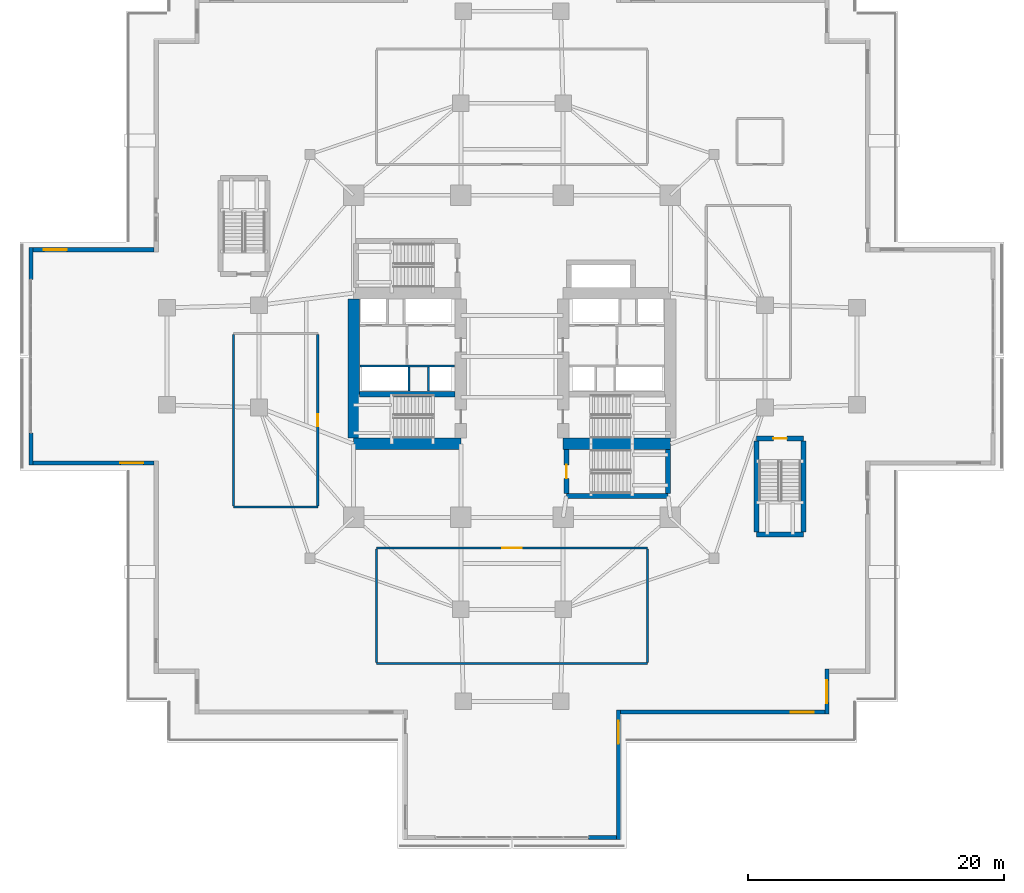
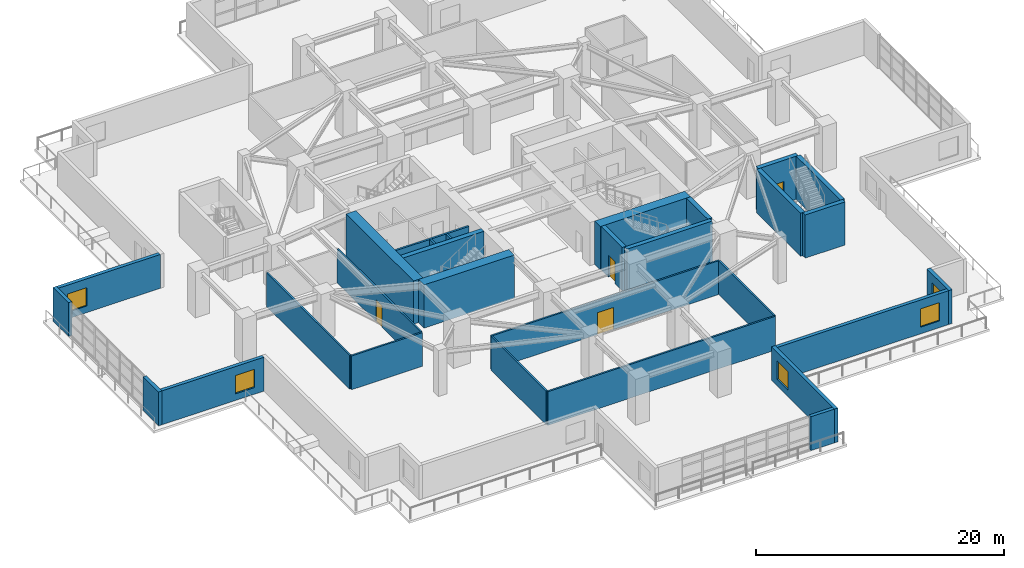
# One storey, part 13 of 23: 29 walls, 5 windows, 4 doors, 9 openings.
"""IFC4 building model written with IfcOpenShell, lengths in metres."""

import ifcopenshell
import ifcopenshell.guid

model = None  # the IFC model being written
_history = None  # IfcOwnerHistory: only IFC2X3 demands one
_inside = {}  # id of a spatial element -> (the spatial element, [elements in it])
_under = {}  # id of a project, library or spatial element -> (it, [spatial elements below it])
_declared = {}  # id of a project -> (the project, [libraries it declares])
_typed = {}  # id of a type object -> (the type object, [elements of that type])
_made_of = {}  # id of a material, layer set ... -> (it, [elements and type objects made of it])


def new_model(schema):
    """Start an empty IFC model of exactly this schema.

    Asked for "IFC4X3", IfcOpenShell would pick the latest addendum, in which some entities
    have other attributes; the version numbers below select the first issue.
    IFC2X3 requires an IfcOwnerHistory on every rooted entity: one is made here for all.
    """
    global model, _history
    if schema == "IFC4X3":
        model = ifcopenshell.file(schema_version=(4, 3, 0, 0))
    else:
        model = ifcopenshell.file(schema=schema)
    _inside.clear()
    _under.clear()
    _declared.clear()
    _typed.clear()
    _made_of.clear()
    _history = None
    if model.schema == "IFC2X3":
        org = make("IfcOrganization", Name="unknown")
        user = make(
            "IfcPersonAndOrganization",
            ThePerson=make("IfcPerson", FamilyName="unknown"),
            TheOrganization=org,
        )
        app = make(
            "IfcApplication",
            ApplicationDeveloper=org,
            Version="unknown",
            ApplicationFullName="unknown",
            ApplicationIdentifier="unknown",
        )
        _history = make(
            "IfcOwnerHistory",
            OwningUser=user,
            OwningApplication=app,
            ChangeAction="ADDED",
            CreationDate=0,
        )
    return model


def make(cls, **values):
    """One entity of the class cls with the attributes given. An attribute that is None is left unset."""
    return model.create_entity(
        cls, **{name: value for name, value in values.items() if value is not None}
    )


def rooted(cls, **values):
    """An entity with a GlobalId (a new one), such as an element, a storey or a relation."""
    return make(cls, GlobalId=ifcopenshell.guid.new(), OwnerHistory=_history, **values)


def si_unit(unit_type, name, prefix=None):
    """IfcSIUnit, for example si_unit("LENGTHUNIT", "METRE", prefix="MILLI")."""
    return make("IfcSIUnit", UnitType=unit_type, Prefix=prefix, Name=name)


def assignment(units):
    """IfcUnitAssignment: the units of a project."""
    return None if units is None else make("IfcUnitAssignment", Units=units)


def point(xyz):
    """IfcCartesianPoint."""
    return None if xyz is None else make("IfcCartesianPoint", Coordinates=xyz)


def direction(xyz):
    """IfcDirection."""
    return None if xyz is None else make("IfcDirection", DirectionRatios=xyz)


def frame(location, z_axis=None, x_axis=None):
    """IfcAxis2Placement3D, a coordinate frame: its origin and axes. An axis left out is left unset."""
    return make(
        "IfcAxis2Placement3D",
        Location=point(location),
        Axis=direction(z_axis),
        RefDirection=direction(x_axis),
    )


def frame_2d(location, x_axis=None):
    """IfcAxis2Placement2D, a coordinate frame in the plane: its origin and x axis."""
    return make(
        "IfcAxis2Placement2D", Location=point(location), RefDirection=direction(x_axis)
    )


def origin():
    """The frame at (0, 0, 0) with its axes left unset."""
    return frame((0.0, 0.0, 0.0))


def place(relative_to, where):
    """IfcLocalPlacement: puts the frame where relative to a parent placement (None: the world)."""
    return make(
        "IfcLocalPlacement", PlacementRelTo=relative_to, RelativePlacement=where
    )


def context(
    kind, dimensions, precision=None, world=None, true_north=None, identifier=None
):
    """IfcGeometricRepresentationContext, for example the 3D "Model" context."""
    return make(
        "IfcGeometricRepresentationContext",
        ContextIdentifier=identifier,
        ContextType=kind,
        CoordinateSpaceDimension=dimensions,
        Precision=precision,
        WorldCoordinateSystem=world,
        TrueNorth=true_north,
    )


def subcontext(parent, identifier, kind, view, scale=None):
    """IfcGeometricRepresentationSubContext, for example "Body" below "Model"."""
    return make(
        "IfcGeometricRepresentationSubContext",
        ContextIdentifier=identifier,
        ContextType=kind,
        ParentContext=parent,
        TargetScale=scale,
        TargetView=view,
    )


def project(units=None, contexts=None):
    """IfcProject with its units and contexts."""
    return rooted(
        "IfcProject",
        Name="project",
        RepresentationContexts=contexts,
        UnitsInContext=assignment(units),
    )


def spatial(cls, under=None, at=None, **own):
    """A site, building, storey or space (cls), placed at a placement, below another one or the project."""
    s = rooted(cls, ObjectPlacement=at, **own)
    if under is not None:
        _under.setdefault(under.id(), (under, []))[1].append(s)
    return s


def profile(cls, at=None, kind="AREA", **sizes):
    """A parametric profile (cls). Its sizes go by their IFC names, for example OverallWidth=200.0."""
    return make(cls, ProfileType=kind, Position=at, **sizes)


def rectangle(**sizes):
    """IfcRectangleProfileDef."""
    return profile("IfcRectangleProfileDef", **sizes)


def extrude(swept, where, along, depth):
    """IfcExtrudedAreaSolid: the profile swept, set in the frame where, extruded along a direction by depth."""
    return make(
        "IfcExtrudedAreaSolid",
        SweptArea=swept,
        Position=where,
        ExtrudedDirection=direction(along),
        Depth=depth,
    )


def shape(context_of_items, identifier, shape_type, items):
    """IfcShapeRepresentation: the items that make up one representation, for example the "Body"."""
    return make(
        "IfcShapeRepresentation",
        ContextOfItems=context_of_items,
        RepresentationIdentifier=identifier,
        RepresentationType=shape_type,
        Items=items,
    )


def material(Name=None, Category=None):
    """IfcMaterial."""
    return make("IfcMaterial", Name=Name, Category=Category)


def layer(
    of_material, thickness, ventilated=None, Name=None, Category=None, Priority=None
):
    """IfcMaterialLayer: one layer of a wall or slab, of a material (None: an air gap)."""
    return make(
        "IfcMaterialLayer",
        Material=of_material,
        LayerThickness=thickness,
        IsVentilated=ventilated,
        Name=Name,
        Category=Category,
        Priority=Priority,
    )


def layer_set(layers, Name=None):
    """IfcMaterialLayerSet."""
    return make("IfcMaterialLayerSet", MaterialLayers=layers, LayerSetName=Name)


def made_of(thing, what):
    """Note that an element or type object is made of a material, layer set ...; save() writes the relation."""
    if what is not None:
        _made_of.setdefault(what.id(), (what, []))[1].append(thing)
    return thing


def type_object(cls, material=None, **own):
    """A type object (cls), such as IfcWallType, which elements share."""
    return made_of(rooted(cls, **own), material)


def element(
    cls,
    number,
    at=None,
    inside=None,
    cuts=None,
    type_object=None,
    material=None,
    context=None,
    identifier="Body",
    shape_type=None,
    held_by="IfcProductDefinitionShape",
    body=None,
    shapes=None,
    **own,
):
    """One element of the class cls, such as IfcWall. Its Tag is "e" and its number.

    at: its placement. inside: the storey or other place that contains it. cuts: it is an
    opening in that element (IfcRelVoidsElement). A single representation is given by context,
    identifier, shape_type and body (its items); several are given by shapes. held_by: the class
    of the entity that holds the representations. save() writes the other relations.
    """
    e = rooted(cls, Tag="e%d" % number, ObjectPlacement=at, **own)
    if body is not None:
        shapes = [shape(context, identifier, shape_type, body)]
    if shapes is not None:
        e.Representation = make(held_by, Representations=shapes)
    if inside is not None:
        _inside.setdefault(inside.id(), (inside, []))[1].append(e)
    if cuts is not None:
        rooted(
            "IfcRelVoidsElement", RelatingBuildingElement=cuts, RelatedOpeningElement=e
        )
    if type_object is not None:
        _typed.setdefault(type_object.id(), (type_object, []))[1].append(e)
    return made_of(e, material)


def fill(opening, filler):
    """IfcRelFillsElement: the door or window that sits in an opening."""
    return rooted(
        "IfcRelFillsElement",
        RelatingOpeningElement=opening,
        RelatedBuildingElement=filler,
    )


def aggregate(whole, parts):
    """IfcRelAggregates: a whole, such as a stair, and the parts it consists of."""
    return rooted("IfcRelAggregates", RelatingObject=whole, RelatedObjects=parts)


def save(model, path):
    """Write the relations noted so far, then the file.

    IfcRelAggregates (storeys below a building ...), IfcRelContainedInSpatialStructure (elements
    in a storey), IfcRelDefinesByType, IfcRelAssociatesMaterial and IfcRelDeclares: one each for
    every whole, place, type object, material and project.
    """
    for whole, parts in _under.values():
        aggregate(whole, parts)
    for where, things in _inside.values():
        rooted(
            "IfcRelContainedInSpatialStructure",
            RelatedElements=things,
            RelatingStructure=where,
        )
    for kind, things in _typed.values():
        rooted("IfcRelDefinesByType", RelatedObjects=things, RelatingType=kind)
    for what, things in _made_of.values():
        rooted("IfcRelAssociatesMaterial", RelatedObjects=things, RelatingMaterial=what)
    for by, libraries in _declared.values():
        rooted("IfcRelDeclares", RelatingContext=by, RelatedDefinitions=libraries)
    model.write(path)


model = new_model("IFC4")

# Units and contexts
model_context = context("Model", 3, precision=1e-05, world=origin(), true_north=direction((0.0, 1.0)))
body_context = subcontext(model_context, "Body", "Model", "MODEL_VIEW")
ifc_project = project(units=[si_unit("LENGTHUNIT", "METRE"), si_unit("AREAUNIT", "SQUARE_METRE"), si_unit("VOLUMEUNIT", "CUBIC_METRE"), si_unit("PLANEANGLEUNIT", "RADIAN"), si_unit("MASSUNIT", "GRAM", prefix="KILO")], contexts=[model_context])

# Site, building, storey
site_placement = place(None, origin())
site = spatial("IfcSite", under=ifc_project, at=site_placement, CompositionType="ELEMENT")
building_placement = place(site_placement, origin())
building = spatial("IfcBuilding", under=site, at=building_placement, Name="Qingluan Cross Belvedere", CompositionType="ELEMENT")
storey_placement = place(building_placement, frame((0.0, 0.0, 10.199951171875)))
storey = spatial("IfcBuildingStorey", under=building, at=storey_placement, Name="L03", CompositionType="ELEMENT", Elevation=10.199951171875)

# Walls
ifc_material_1 = material(Name="Concrete C50", Category="concrete")
ifc_layer_1 = layer(ifc_material_1, 0.449951171875, Name="CoreShearWall_450")
ifc_layer_set_1 = layer_set([ifc_layer_1], Name="Concrete C50")
wall_type_1 = type_object("IfcWallType", Name="CoreShearWall_450", PredefinedType="SHEAR", material=ifc_layer_set_1)
wall_1_placement = place(storey_placement, frame((-11.945068359375, -2.9599609375, 0.0), z_axis=(0.0, 0.0, 1.0), x_axis=(1.0, 0.0, 0.0)))
element("IfcWall", 1, at=wall_1_placement, inside=storey, type_object=wall_type_1, Name="Split core W shear wall L03-M", PredefinedType="SHEAR", context=body_context, shape_type="SweptSolid", body=[
    extrude(rectangle(XDim=7.489990234375, YDim=0.449951171875, at=frame_2d((3.7451171875, 0.0))), origin(), (0.0, 0.0, 1.0), 4.25),
])
wall_2_placement = place(storey_placement, frame((4.260009765625, -10.93994140625, 0.0), z_axis=(0.0, 0.0, 1.0), x_axis=(1.0, 0.0, 0.0)))
element("IfcWall", 2, at=wall_2_placement, inside=storey, type_object=wall_type_1, Name="Stair ST4 structural wall S L03", PredefinedType="SHEAR", context=body_context, shape_type="SweptSolid", body=[
    extrude(rectangle(XDim=7.9599609375, YDim=0.39990234375, at=frame_2d((3.97998046875, 0.0))), origin(), (0.0, 0.0, 1.0), 4.25),
])

# Wall, opening, door
wall_3_placement = place(storey_placement, frame((4.260009765625, -10.735107421875, 0.0), z_axis=(0.0, 0.0, 1.0), x_axis=(0.0, 1.0, 0.0)))
wall_3 = element("IfcWall", 3, at=wall_3_placement, inside=storey, type_object=wall_type_1, Name="Stair ST4 structural wall W L03", PredefinedType="SHEAR", context=body_context, shape_type="SweptSolid", body=[
    extrude(rectangle(XDim=3.43017578125, YDim=0.39990234375, at=frame_2d((1.715087890625, 0.0))), origin(), (0.0, 0.0, 1.0), 4.25),
])
opening_1_placement = place(wall_3_placement, frame((1.18505859375, 0.0, 0.0)))
opening_1 = element("IfcOpeningElement", 4, at=opening_1_placement, cuts=wall_3, Name="Opening FD-B11", PredefinedType="OPENING", context=body_context, shape_type="SweptSolid", body=[
    extrude(rectangle(XDim=1.050048828125, YDim=2.14990234375, at=frame_2d((0.52490234375, 1.074951171875))), frame((0.0, 0.2099609375, 0.0), z_axis=(0.0, -1.0, 0.0), x_axis=(1.0, 0.0, 0.0)), (0.0, 0.0, 1.0), 0.419921875),
])
ifc_material_2 = material(Name="Steel Class B smoke-seal fire door", Category="steel")
door_type_1 = type_object("IfcDoorType", Name="StairLobbyFireDoor_FDB", OperationType="NOTDEFINED", PredefinedType="DOOR", material=ifc_material_2)
door_1_placement = place(opening_1_placement, origin())
door_1 = element("IfcDoor", 5, at=door_1_placement, inside=storey, type_object=door_type_1, Name="Smoke-proof stair ST4 fire door L03", OperationType="SINGLE_SWING_LEFT", OverallHeight=2.14990234375, OverallWidth=1.050048828125, PredefinedType="DOOR", context=body_context, shape_type="SweptSolid", body=[
    extrude(rectangle(XDim=1.050048828125, YDim=2.14990234375, at=frame_2d((0.52490234375, 1.074951171875))), frame((0.0, 0.02490234375, 0.0), z_axis=(0.0, -1.0, 0.0), x_axis=(1.0, 0.0, 0.0)), (0.0, 0.0, 1.0), 0.050048828125),
])
fill(opening_1, door_1)

# Wall
wall_4_placement = place(storey_placement, frame((12.219970703125, -10.735107421875, 0.0), z_axis=(0.0, 0.0, 1.0), x_axis=(0.0, 1.0, 0.0)))
element("IfcWall", 6, at=wall_4_placement, inside=storey, type_object=wall_type_1, Name="Stair ST4 structural wall E L03", PredefinedType="SHEAR", context=body_context, shape_type="SweptSolid", body=[
    extrude(rectangle(XDim=3.43017578125, YDim=0.39990234375, at=frame_2d((1.715087890625, 0.0))), origin(), (0.0, 0.0, 1.0), 4.25),
])

# Wall, opening, door
wall_5_placement = place(storey_placement, frame((19.1201171875, -6.429931640625, 0.0), z_axis=(0.0, 0.0, 1.0), x_axis=(1.0, 0.0, 0.0)))
wall_5 = element("IfcWall", 7, at=wall_5_placement, inside=storey, type_object=wall_type_1, Name="Stair ST6 structural wall N L03", PredefinedType="SHEAR", context=body_context, shape_type="SweptSolid", body=[
    extrude(rectangle(XDim=3.699951171875, YDim=0.39990234375, at=frame_2d((1.85009765625, 0.0))), origin(), (0.0, 0.0, 1.0), 4.25),
])
opening_2_placement = place(wall_5_placement, frame((1.330078125, 0.0, 0.0)))
opening_2 = element("IfcOpeningElement", 8, at=opening_2_placement, cuts=wall_5, Name="Opening FD-B11", PredefinedType="OPENING", context=body_context, shape_type="SweptSolid", body=[
    extrude(rectangle(XDim=1.050048828125, YDim=2.14990234375, at=frame_2d((0.52490234375, 1.074951171875))), frame((0.0, 0.2099609375, 0.0), z_axis=(0.0, -1.0, 0.0), x_axis=(1.0, 0.0, 0.0)), (0.0, 0.0, 1.0), 0.419921875),
])
door_2_placement = place(opening_2_placement, origin())
door_2 = element("IfcDoor", 9, at=door_2_placement, inside=storey, type_object=door_type_1, Name="Podium stair ST6 smoke-proof fire door L03", OperationType="SINGLE_SWING_LEFT", OverallHeight=2.14990234375, OverallWidth=1.050048828125, PredefinedType="DOOR", context=body_context, shape_type="SweptSolid", body=[
    extrude(rectangle(XDim=1.050048828125, YDim=2.14990234375, at=frame_2d((0.52490234375, 1.074951171875))), frame((0.0, 0.02490234375, 0.0), z_axis=(0.0, -1.0, 0.0), x_axis=(1.0, 0.0, 0.0)), (0.0, 0.0, 1.0), 0.050048828125),
])
fill(opening_2, door_2)

# Walls
wall_6_placement = place(storey_placement, frame((19.1201171875, -13.949951171875, 0.0), z_axis=(0.0, 0.0, 1.0), x_axis=(1.0, 0.0, 0.0)))
element("IfcWall", 10, at=wall_6_placement, inside=storey, type_object=wall_type_1, Name="Stair ST6 structural wall S L03", PredefinedType="SHEAR", context=body_context, shape_type="SweptSolid", body=[
    extrude(rectangle(XDim=3.699951171875, YDim=0.39990234375, at=frame_2d((1.85009765625, 0.0))), origin(), (0.0, 0.0, 1.0), 4.25),
])
for number, where, z_axis, x_axis, name in (
    (11, (19.1201171875, -13.7451171875, 0.0), (0.0, 0.0, 1.0), (0.0, 1.0, 0.0), "Stair ST6 structural wall W L03"),
    (12, (22.820068359375, -13.7451171875, 0.0), (0.0, 0.0, 1.0), (0.0, 1.0, 0.0), "Stair ST6 structural wall E L03"),
):
    element("IfcWall", number, at=place(storey_placement, frame(where, z_axis=z_axis, x_axis=x_axis)), inside=storey, type_object=wall_type_1, Name=name, PredefinedType="SHEAR", context=body_context, shape_type="SweptSolid", body=[
        extrude(rectangle(XDim=7.110107421875, YDim=0.39990234375, at=frame_2d((3.55517578125, 0.0))), origin(), (0.0, 0.0, 1.0), 4.25),
    ])
ifc_material_3 = material(Name="Concrete C70", Category="concrete")
ifc_layer_2 = layer(ifc_material_3, 0.89990234375, Name="CoreShearWall_900")
ifc_layer_set_2 = layer_set([ifc_layer_2], Name="Concrete C70")
wall_type_2 = type_object("IfcWallType", Name="CoreShearWall_900", PredefinedType="SHEAR", material=ifc_layer_set_2)
wall_7_placement = place(storey_placement, frame((-12.39990234375, -6.85009765625, 0.0), z_axis=(0.0, 0.0, 1.0), x_axis=(1.0, 0.0, 0.0)))
element("IfcWall", 13, at=wall_7_placement, inside=storey, type_object=wall_type_2, Name="Split core W shear wall L03-S", PredefinedType="SHEAR", context=body_context, shape_type="SweptSolid", body=[
    extrude(rectangle(XDim=8.39990234375, YDim=0.89990234375, at=frame_2d((4.199951171875, 0.0))), origin(), (0.0, 0.0, 1.0), 4.25),
])
wall_8_placement = place(storey_placement, frame((-12.39990234375, -6.39501953125, 0.0), z_axis=(0.0, 0.0, 1.0), x_axis=(0.0, 1.0, 0.0)))
element("IfcWall", 14, at=wall_8_placement, inside=storey, type_object=wall_type_2, Name="Split core W shear wall L03-W", PredefinedType="SHEAR", context=body_context, shape_type="SweptSolid", body=[
    extrude(rectangle(XDim=10.89013671875, YDim=0.89990234375, at=frame_2d((5.445068359375, 0.0))), origin(), (0.0, 0.0, 1.0), 4.25),
])
wall_9_placement = place(storey_placement, frame((4.0, -6.85009765625, 0.0), z_axis=(0.0, 0.0, 1.0), x_axis=(1.0, 0.0, 0.0)))
element("IfcWall", 15, at=wall_9_placement, inside=storey, type_object=wall_type_2, Name="Split core E shear wall L03-S", PredefinedType="SHEAR", context=body_context, shape_type="SweptSolid", body=[
    extrude(rectangle(XDim=8.39990234375, YDim=0.89990234375, at=frame_2d((4.199951171875, 0.0))), origin(), (0.0, 0.0, 1.0), 4.25),
])
ifc_material_4 = material(Name="Gypsum plasterboard on steel stud acoustic partition", Category="steel")
ifc_layer_3 = layer(ifc_material_4, 0.159912109375, Name="CorridorPartition_160")
ifc_layer_set_3 = layer_set([ifc_layer_3], Name="Gypsum plasterboard on steel stud acoustic partition")
wall_type_3 = type_object("IfcWallType", Name="CorridorPartition_160", PredefinedType="PARTITIONING", material=ifc_layer_set_3)
wall_10_placement = place(storey_placement, frame((-10.60009765625, -24.050048828125, 0.0), z_axis=(0.0, 0.0, 1.0), x_axis=(1.0, 0.0, 0.0)))
element("IfcWall", 16, at=wall_10_placement, inside=storey, type_object=wall_type_3, Name="Partition L03:pod_s:S", PredefinedType="PARTITIONING", context=body_context, shape_type="SweptSolid", body=[
    extrude(rectangle(XDim=21.2001953125, YDim=0.159912109375, at=frame_2d((10.60009765625, 0.0))), origin(), (0.0, 0.0, 1.0), 3.320068359375),
])

# Wall, opening, door
wall_11_placement = place(storey_placement, frame((-10.60009765625, -15.0, 0.0), z_axis=(0.0, 0.0, 1.0), x_axis=(1.0, 0.0, 0.0)))
wall_11 = element("IfcWall", 17, at=wall_11_placement, inside=storey, type_object=wall_type_3, Name="Partition L03:pod_s:N", PredefinedType="PARTITIONING", context=body_context, shape_type="SweptSolid", body=[
    extrude(rectangle(XDim=21.2001953125, YDim=0.159912109375, at=frame_2d((10.60009765625, 0.0))), origin(), (0.0, 0.0, 1.0), 3.320068359375),
])
opening_3_placement = place(wall_11_placement, frame((9.85009765625, 0.0, 0.0)))
opening_3 = element("IfcOpeningElement", 18, at=opening_3_placement, cuts=wall_11, Name="Opening FD-A15", PredefinedType="OPENING", context=body_context, shape_type="SweptSolid", body=[
    extrude(rectangle(XDim=1.5, YDim=2.14990234375, at=frame_2d((0.75, 1.074951171875))), frame((0.0, 0.08984375, 0.0), z_axis=(0.0, -1.0, 0.0), x_axis=(1.0, 0.0, 0.0)), (0.0, 0.0, 1.0), 0.179931640625),
])
ifc_material_5 = material(Name="Insulated steel Class A double fire door", Category="steel")
door_type_2 = type_object("IfcDoorType", Name="PlantDoubleFireDoor_FDA", OperationType="DOUBLE_DOOR_SINGLE_SWING", PredefinedType="DOOR", material=ifc_material_5)
door_3_placement = place(opening_3_placement, origin())
door_3 = element("IfcDoor", 19, at=door_3_placement, inside=storey, type_object=door_type_2, Name="Seminar conference foyer South L03 door", OperationType="DOUBLE_DOOR_SINGLE_SWING", OverallHeight=2.14990234375, OverallWidth=1.5, PredefinedType="DOOR", context=body_context, shape_type="SweptSolid", body=[
    extrude(rectangle(XDim=1.5, YDim=2.14990234375, at=frame_2d((0.75, 1.074951171875))), frame((0.0, 0.02490234375, 0.0), z_axis=(0.0, -1.0, 0.0), x_axis=(1.0, 0.0, 0.0)), (0.0, 0.0, 1.0), 0.050048828125),
])
fill(opening_3, door_3)

# Walls
for number, where, z_axis, x_axis, name in (
    (20, (-10.60009765625, -23.965087890625, 0.0), (0.0, 0.0, 1.0), (0.0, 1.0, 0.0), "Partition L03:pod_s:W"),
    (21, (10.60009765625, -23.965087890625, 0.0), (0.0, 0.0, 1.0), (0.0, 1.0, 0.0), "Partition L03:pod_s:E"),
):
    element("IfcWall", number, at=place(storey_placement, frame(where, z_axis=z_axis, x_axis=x_axis)), inside=storey, type_object=wall_type_3, Name=name, PredefinedType="PARTITIONING", context=body_context, shape_type="SweptSolid", body=[
        extrude(rectangle(XDim=8.880126953125, YDim=0.159912109375, at=frame_2d((4.43994140625, 0.0))), origin(), (0.0, 0.0, 1.0), 3.320068359375),
    ])
wall_12_placement = place(storey_placement, frame((-21.800048828125, -11.800048828125, 0.0), z_axis=(0.0, 0.0, 1.0), x_axis=(1.0, 0.0, 0.0)))
element("IfcWall", 22, at=wall_12_placement, inside=storey, type_object=wall_type_3, Name="Partition L03:pod_w:S", PredefinedType="PARTITIONING", context=body_context, shape_type="SweptSolid", body=[
    extrude(rectangle(XDim=6.60009765625, YDim=0.159912109375, at=frame_2d((3.300048828125, 0.0))), origin(), (0.0, 0.0, 1.0), 3.320068359375),
])
wall_13_placement = place(storey_placement, frame((-21.800048828125, -11.715087890625, 0.0), z_axis=(0.0, 0.0, 1.0), x_axis=(0.0, 1.0, 0.0)))
element("IfcWall", 23, at=wall_13_placement, inside=storey, type_object=wall_type_3, Name="Partition L03:pod_w:W", PredefinedType="PARTITIONING", context=body_context, shape_type="SweptSolid", body=[
    extrude(rectangle(XDim=13.43017578125, YDim=0.159912109375, at=frame_2d((6.715087890625, 0.0))), origin(), (0.0, 0.0, 1.0), 3.320068359375),
])

# Wall, opening, door
wall_14_placement = place(storey_placement, frame((-15.199951171875, -11.715087890625, 0.0), z_axis=(0.0, 0.0, 1.0), x_axis=(0.0, 1.0, 0.0)))
wall_14 = element("IfcWall", 24, at=wall_14_placement, inside=storey, type_object=wall_type_3, Name="Partition L03:pod_w:E", PredefinedType="PARTITIONING", context=body_context, shape_type="SweptSolid", body=[
    extrude(rectangle(XDim=13.43017578125, YDim=0.159912109375, at=frame_2d((6.715087890625, 0.0))), origin(), (0.0, 0.0, 1.0), 3.320068359375),
])
opening_4_placement = place(wall_14_placement, frame((6.235107421875, 0.0, 0.0)))
opening_4 = element("IfcOpeningElement", 25, at=opening_4_placement, cuts=wall_14, Name="Opening GD-10", PredefinedType="OPENING", context=body_context, shape_type="SweptSolid", body=[
    extrude(rectangle(XDim=0.9599609375, YDim=2.14990234375, at=frame_2d((0.47998046875, 1.074951171875))), frame((0.0, 0.08984375, 0.0), z_axis=(0.0, -1.0, 0.0), x_axis=(1.0, 0.0, 0.0)), (0.0, 0.0, 1.0), 0.179931640625),
])
ifc_material_6 = material(Name="Timber oak fire-rated acoustic guestroom door", Category="wood")
door_type_3 = type_object("IfcDoorType", Name="GuestEntryDoor_FD60", OperationType="NOTDEFINED", PredefinedType="DOOR", material=ifc_material_6)
door_4_placement = place(opening_4_placement, origin())
door_4 = element("IfcDoor", 26, at=door_4_placement, inside=storey, type_object=door_type_3, Name="Conference catering pantry West L03 door", OperationType="SINGLE_SWING_LEFT", OverallHeight=2.14990234375, OverallWidth=0.9599609375, PredefinedType="DOOR", context=body_context, shape_type="SweptSolid", body=[
    extrude(rectangle(XDim=0.9599609375, YDim=2.14990234375, at=frame_2d((0.47998046875, 1.074951171875))), frame((0.0, 0.02490234375, 0.0), z_axis=(0.0, -1.0, 0.0), x_axis=(1.0, 0.0, 0.0)), (0.0, 0.0, 1.0), 0.050048828125),
])
fill(opening_4, door_4)

# Wall, opening, window
ifc_material_7 = material(Name="Precast concrete C45", Category="concrete")
ifc_layer_4 = layer(ifc_material_7, 0.320068359375, Name="PrecastPodiumWall_320")
ifc_layer_set_4 = layer_set([ifc_layer_4], Name="Precast concrete C45")
wall_type_4 = type_object("IfcWallType", Name="PrecastPodiumWall_320", PredefinedType="STANDARD", material=ifc_layer_set_4)
wall_15_placement = place(storey_placement, frame((24.47998046875, -27.840087890625, 0.0), z_axis=(0.0, 0.0, 1.0), x_axis=(-1.0, 0.0, 0.0)))
wall_15 = element("IfcWall", 27, at=wall_15_placement, inside=storey, type_object=wall_type_4, Name="Podium precast facade wall L03-S1", PredefinedType="STANDARD", context=body_context, shape_type="SweptSolid", body=[
    extrude(rectangle(XDim=15.97998046875, YDim=0.320068359375, at=frame_2d((7.989990234375, 0.0))), origin(), (0.0, 0.0, 1.0), 3.330078125),
])
opening_5_placement = place(wall_15_placement, frame((0.85009765625, 0.0, 0.64990234375)))
opening_5 = element("IfcOpeningElement", 28, at=opening_5_placement, cuts=wall_15, Name="Opening W-06", PredefinedType="OPENING", context=body_context, shape_type="SweptSolid", body=[
    extrude(rectangle(XDim=1.800048828125, YDim=1.800048828125, at=frame_2d((0.89990234375, 0.89990234375))), frame((0.0, 0.169921875, 0.0), z_axis=(0.0, -1.0, 0.0), x_axis=(1.0, 0.0, 0.0)), (0.0, 0.0, 1.0), 0.340087890625),
])
ifc_material_8 = material(Name="Thermally broken triple Low-E glass in aluminium frame", Category="aluminium")
window_type = type_object("IfcWindowType", Name="PodiumGalleryWin_1800x1800", PartitioningType="SINGLE_PANEL", PredefinedType="WINDOW", material=ifc_material_8)
window_1_placement = place(opening_5_placement, origin())
window_1 = element("IfcWindow", 29, at=window_1_placement, inside=storey, type_object=window_type, Name="Podium gallery window L03-S1", OverallHeight=1.800048828125, OverallWidth=1.800048828125, PartitioningType="SINGLE_PANEL", PredefinedType="WINDOW", context=body_context, shape_type="SweptSolid", body=[
    extrude(rectangle(XDim=1.800048828125, YDim=1.800048828125, at=frame_2d((0.89990234375, 0.89990234375))), frame((0.0, 0.030029296875, 0.0), z_axis=(0.0, -1.0, 0.0), x_axis=(1.0, 0.0, 0.0)), (0.0, 0.0, 1.0), 0.06005859375),
])
fill(opening_5, window_1)

wall_16_placement = place(storey_placement, frame((8.340087890625, -27.679931640625, 0.0), z_axis=(0.0, 0.0, 1.0), x_axis=(0.0, -1.0, 0.0)))
wall_16 = element("IfcWall", 30, at=wall_16_placement, inside=storey, type_object=wall_type_4, Name="Podium precast facade wall L03-S2", PredefinedType="STANDARD", context=body_context, shape_type="SweptSolid", body=[
    extrude(rectangle(XDim=10.1201171875, YDim=0.320068359375, at=frame_2d((5.06005859375, 0.0))), origin(), (0.0, 0.0, 1.0), 3.330078125),
])
opening_6_placement = place(wall_16_placement, frame((0.85009765625, 0.0, 0.64990234375)))
opening_6 = element("IfcOpeningElement", 31, at=opening_6_placement, cuts=wall_16, Name="Opening W-06", PredefinedType="OPENING", context=body_context, shape_type="SweptSolid", body=[
    extrude(rectangle(XDim=1.800048828125, YDim=1.800048828125, at=frame_2d((0.89990234375, 0.89990234375))), frame((0.0, 0.169921875, 0.0), z_axis=(0.0, -1.0, 0.0), x_axis=(1.0, 0.0, 0.0)), (0.0, 0.0, 1.0), 0.340087890625),
])
window_2_placement = place(opening_6_placement, origin())
window_2 = element("IfcWindow", 32, at=window_2_placement, inside=storey, type_object=window_type, Name="Podium gallery window L03-S2", OverallHeight=1.800048828125, OverallWidth=1.800048828125, PartitioningType="SINGLE_PANEL", PredefinedType="WINDOW", context=body_context, shape_type="SweptSolid", body=[
    extrude(rectangle(XDim=1.800048828125, YDim=1.800048828125, at=frame_2d((0.89990234375, 0.89990234375))), frame((0.0, 0.030029296875, 0.0), z_axis=(0.0, -1.0, 0.0), x_axis=(1.0, 0.0, 0.0)), (0.0, 0.0, 1.0), 0.06005859375),
])
fill(opening_6, window_2)

# Wall
wall_17_placement = place(storey_placement, frame((8.179931640625, -37.639892578125, 0.0), z_axis=(0.0, 0.0, 1.0), x_axis=(-1.0, 0.0, 0.0)))
element("IfcWall", 33, at=wall_17_placement, inside=storey, type_object=wall_type_4, Name="Podium portal pier L03-P1JA", PredefinedType="STANDARD", context=body_context, shape_type="SweptSolid", body=[
    extrude(rectangle(XDim=2.179931640625, YDim=0.320068359375, at=frame_2d((1.08984375, 0.0))), origin(), (0.0, 0.0, 1.0), 3.330078125),
])

# Wall, opening, window
wall_18_placement = place(storey_placement, frame((-28.0, -8.340087890625, 0.0), z_axis=(0.0, 0.0, 1.0), x_axis=(-1.0, 0.0, 0.0)))
wall_18 = element("IfcWall", 34, at=wall_18_placement, inside=storey, type_object=wall_type_4, Name="Podium precast facade wall L03-S10", PredefinedType="STANDARD", context=body_context, shape_type="SweptSolid", body=[
    extrude(rectangle(XDim=9.47998046875, YDim=0.320068359375, at=frame_2d((4.739990234375, 0.0))), origin(), (0.0, 0.0, 1.0), 3.330078125),
])
opening_7_placement = place(wall_18_placement, frame((0.85009765625, 0.0, 0.64990234375)))
opening_7 = element("IfcOpeningElement", 35, at=opening_7_placement, cuts=wall_18, Name="Opening W-06", PredefinedType="OPENING", context=body_context, shape_type="SweptSolid", body=[
    extrude(rectangle(XDim=1.800048828125, YDim=1.800048828125, at=frame_2d((0.89990234375, 0.89990234375))), frame((0.0, 0.169921875, 0.0), z_axis=(0.0, -1.0, 0.0), x_axis=(1.0, 0.0, 0.0)), (0.0, 0.0, 1.0), 0.340087890625),
])
window_3_placement = place(opening_7_placement, origin())
window_3 = element("IfcWindow", 36, at=window_3_placement, inside=storey, type_object=window_type, Name="Podium gallery window L03-S10", OverallHeight=1.800048828125, OverallWidth=1.800048828125, PartitioningType="SINGLE_PANEL", PredefinedType="WINDOW", context=body_context, shape_type="SweptSolid", body=[
    extrude(rectangle(XDim=1.800048828125, YDim=1.800048828125, at=frame_2d((0.89990234375, 0.89990234375))), frame((0.0, 0.030029296875, 0.0), z_axis=(0.0, -1.0, 0.0), x_axis=(1.0, 0.0, 0.0)), (0.0, 0.0, 1.0), 0.06005859375),
])
fill(opening_7, window_3)

# Walls
for number, where, z_axis, x_axis, name in (
    (37, (-37.639892578125, -8.5, 0.0), (0.0, 0.0, 1.0), (0.0, 1.0, 0.0), "Podium portal pier L03-P2JA"),
    (38, (-37.639892578125, 6.0, 0.0), (0.0, 0.0, 1.0), (0.0, 1.0, 0.0), "Podium portal pier L03-P2JB"),
):
    element("IfcWall", number, at=place(storey_placement, frame(where, z_axis=z_axis, x_axis=x_axis)), inside=storey, type_object=wall_type_4, Name=name, PredefinedType="STANDARD", context=body_context, shape_type="SweptSolid", body=[
        extrude(rectangle(XDim=2.5, YDim=0.320068359375, at=frame_2d((1.25, 0.0))), origin(), (0.0, 0.0, 1.0), 3.330078125),
    ])

# Wall, opening, window
wall_19_placement = place(storey_placement, frame((-37.47998046875, 8.340087890625, 0.0), z_axis=(0.0, 0.0, 1.0), x_axis=(1.0, 0.0, 0.0)))
wall_19 = element("IfcWall", 39, at=wall_19_placement, inside=storey, type_object=wall_type_4, Name="Podium precast facade wall L03-S13", PredefinedType="STANDARD", context=body_context, shape_type="SweptSolid", body=[
    extrude(rectangle(XDim=9.47998046875, YDim=0.320068359375, at=frame_2d((4.739990234375, 0.0))), origin(), (0.0, 0.0, 1.0), 3.330078125),
])
opening_8_placement = place(wall_19_placement, frame((0.85009765625, 0.0, 0.64990234375)))
opening_8 = element("IfcOpeningElement", 40, at=opening_8_placement, cuts=wall_19, Name="Opening W-06", PredefinedType="OPENING", context=body_context, shape_type="SweptSolid", body=[
    extrude(rectangle(XDim=1.800048828125, YDim=1.800048828125, at=frame_2d((0.89990234375, 0.89990234375))), frame((0.0, 0.169921875, 0.0), z_axis=(0.0, -1.0, 0.0), x_axis=(1.0, 0.0, 0.0)), (0.0, 0.0, 1.0), 0.340087890625),
])
window_4_placement = place(opening_8_placement, origin())
window_4 = element("IfcWindow", 41, at=window_4_placement, inside=storey, type_object=window_type, Name="Podium gallery window L03-S13", OverallHeight=1.800048828125, OverallWidth=1.800048828125, PartitioningType="SINGLE_PANEL", PredefinedType="WINDOW", context=body_context, shape_type="SweptSolid", body=[
    extrude(rectangle(XDim=1.800048828125, YDim=1.800048828125, at=frame_2d((0.89990234375, 0.89990234375))), frame((0.0, 0.030029296875, 0.0), z_axis=(0.0, -1.0, 0.0), x_axis=(1.0, 0.0, 0.0)), (0.0, 0.0, 1.0), 0.06005859375),
])
fill(opening_8, window_4)

wall_20_placement = place(storey_placement, frame((24.639892578125, -24.47998046875, 0.0), z_axis=(0.0, 0.0, 1.0), x_axis=(0.0, -1.0, 0.0)))
wall_20 = element("IfcWall", 42, at=wall_20_placement, inside=storey, type_object=wall_type_4, Name="Podium precast facade wall L03-S32", PredefinedType="STANDARD", context=body_context, shape_type="SweptSolid", body=[
    extrude(rectangle(XDim=3.52001953125, YDim=0.320068359375, at=frame_2d((1.760009765625, 0.0))), origin(), (0.0, 0.0, 1.0), 3.330078125),
])
opening_9_placement = place(wall_20_placement, frame((0.85009765625, 0.0, 0.64990234375)))
opening_9 = element("IfcOpeningElement", 43, at=opening_9_placement, cuts=wall_20, Name="Opening W-06", PredefinedType="OPENING", context=body_context, shape_type="SweptSolid", body=[
    extrude(rectangle(XDim=1.800048828125, YDim=1.800048828125, at=frame_2d((0.89990234375, 0.89990234375))), frame((0.0, 0.169921875, 0.0), z_axis=(0.0, -1.0, 0.0), x_axis=(1.0, 0.0, 0.0)), (0.0, 0.0, 1.0), 0.340087890625),
])
window_5_placement = place(opening_9_placement, origin())
window_5 = element("IfcWindow", 44, at=window_5_placement, inside=storey, type_object=window_type, Name="Podium gallery window L03-S32", OverallHeight=1.800048828125, OverallWidth=1.800048828125, PartitioningType="SINGLE_PANEL", PredefinedType="WINDOW", context=body_context, shape_type="SweptSolid", body=[
    extrude(rectangle(XDim=1.800048828125, YDim=1.800048828125, at=frame_2d((0.89990234375, 0.89990234375))), frame((0.0, 0.030029296875, 0.0), z_axis=(0.0, -1.0, 0.0), x_axis=(1.0, 0.0, 0.0)), (0.0, 0.0, 1.0), 0.06005859375),
])
fill(opening_9, window_5)

# Walls
ifc_material_9 = material(Name="Concrete C40", Category="concrete")
ifc_layer_5 = layer(ifc_material_9, 0.219970703125, Name="ShaftEnclosureWall_250")
ifc_layer_set_5 = layer_set([ifc_layer_5], Name="Concrete C40")
wall_type_5 = type_object("IfcWallType", Name="ShaftEnclosureWall_250", PredefinedType="SOLIDWALL", material=ifc_layer_set_5)
wall_21_placement = place(storey_placement, frame((-11.89990234375, -0.75, 0.0), z_axis=(0.0, 0.0, 1.0), x_axis=(1.0, 0.0, 0.0)))
element("IfcWall", 45, at=wall_21_placement, inside=storey, type_object=wall_type_5, Name="Core-W mid hoistway wall L03", PredefinedType="SOLIDWALL", context=body_context, shape_type="SweptSolid", body=[
    extrude(rectangle(XDim=7.419921875, YDim=0.179931640625, at=frame_2d((3.7099609375, 0.0))), origin(), (0.0, 0.0, 1.0), 3.320068359375),
])
for number, where, z_axis, x_axis, name in (
    (46, (-8.06005859375, -2.72998046875, 0.0), (0.0, 0.0, 1.0), (0.0, 1.0, 0.0), "Hoistway enclosure divider LP6E L03"),
    (47, (-6.5400390625, -2.72998046875, 0.0), (0.0, 0.0, 1.0), (0.0, 1.0, 0.0), "Hoistway enclosure divider LP8W L03"),
):
    element("IfcWall", number, at=place(storey_placement, frame(where, z_axis=z_axis, x_axis=x_axis)), inside=storey, type_object=wall_type_5, Name=name, PredefinedType="SOLIDWALL", context=body_context, shape_type="SweptSolid", body=[
        extrude(rectangle(XDim=1.889892578125, YDim=0.179931640625, at=frame_2d((0.94482421875, 0.0))), origin(), (0.0, 0.0, 1.0), 3.320068359375),
    ])

save(model, "model.ifc")
